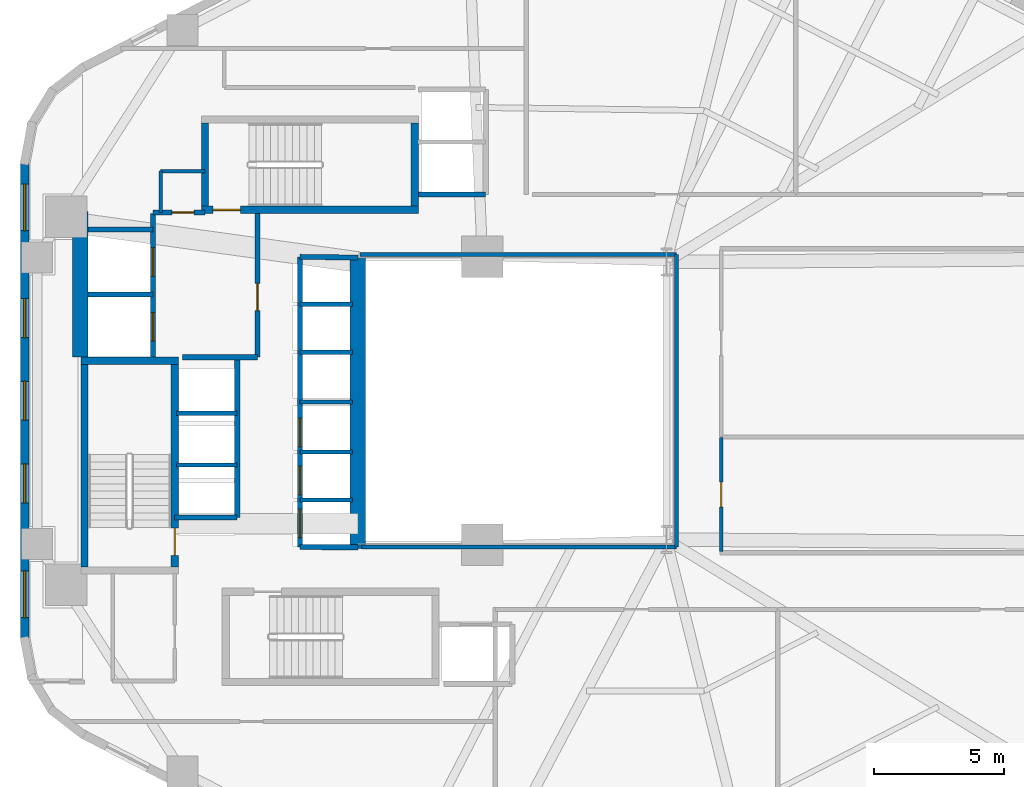
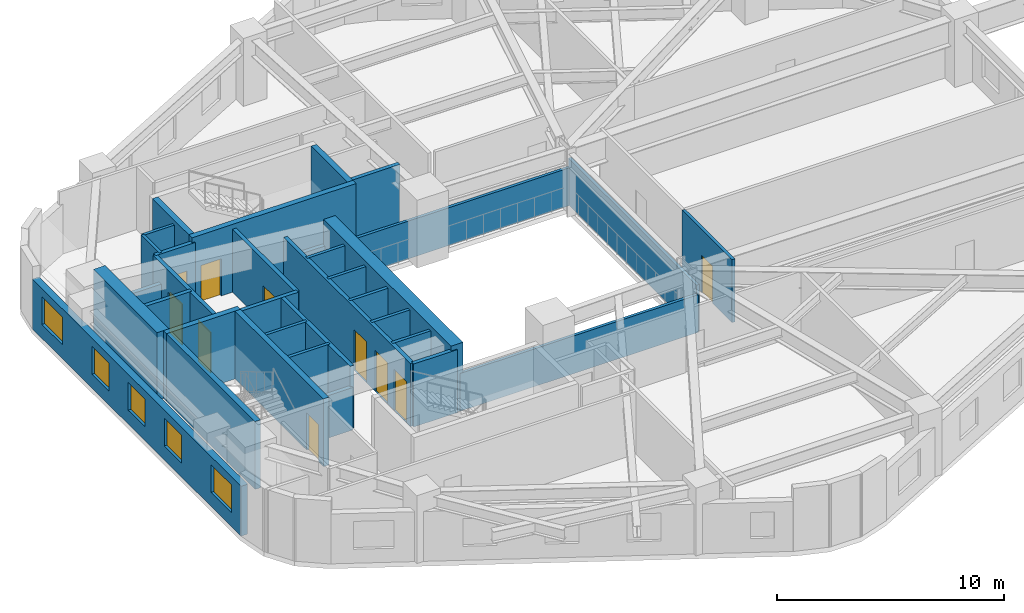
# One storey, part 3 of 6: 34 walls, 10 doors, 5 windows, 15 openings.
"""IFC4 building model written with IfcOpenShell, lengths in metres."""

from ifc_helpers import new_model, si_unit, direction, frame, frame_2d, origin, place, context, subcontext, project, spatial, rectangle, extrude, material, layer, layer_set, type_object, element, fill, save


model = new_model("IFC4")

# Units and contexts
model_context = context("Model", 3, precision=1e-05, world=origin(), true_north=direction((0.0, 1.0)))
body_context = subcontext(model_context, "Body", "Model", "MODEL_VIEW")
ifc_project = project(units=[si_unit("LENGTHUNIT", "METRE"), si_unit("AREAUNIT", "SQUARE_METRE"), si_unit("VOLUMEUNIT", "CUBIC_METRE"), si_unit("PLANEANGLEUNIT", "RADIAN"), si_unit("MASSUNIT", "GRAM", prefix="KILO"), si_unit("THERMODYNAMICTEMPERATUREUNIT", "KELVIN"), si_unit("POWERUNIT", "WATT")], contexts=[model_context])

# Site, building, storey
site_placement = place(None, origin())
site = spatial("IfcSite", under=ifc_project, at=site_placement, CompositionType="ELEMENT")
building_placement = place(site_placement, origin())
building = spatial("IfcBuilding", under=site, at=building_placement, Name="Skarre Station Tower", CompositionType="ELEMENT")
storey_placement = place(building_placement, frame((0.0, 0.0, 34.300048828125)))
storey = spatial("IfcBuildingStorey", under=building, at=storey_placement, Name="L08", CompositionType="ELEMENT", Elevation=34.300048828125)

# Walls
ifc_material_1 = material(Name="Acoustic Steel-Stud Gypsum Partition", Category="steel")
ifc_layer_1 = layer(ifc_material_1, 0.14990234375, Name="Acoustic Steel-Stud Gypsum Partition")
ifc_layer_set_1 = layer_set([ifc_layer_1], Name="Acoustic Steel-Stud Gypsum Partition")
wall_type_1 = type_object("IfcWallType", Name="Fire-Rated Corridor Acoustic Partition 150", PredefinedType="PARTITIONING", material=ifc_layer_set_1)
wall_1_placement = place(storey_placement, frame((19.949951171875, 32.85009765625, 0.0), z_axis=(0.0, 0.0, 1.0), x_axis=(0.0, -1.0, 0.0)))
element("IfcWall", 1, at=wall_1_placement, inside=storey, type_object=wall_type_1, Name="L08 Interior Partition WL-PT-L08-CNW-W", PredefinedType="PARTITIONING", context=body_context, shape_type="SweptSolid", body=[
    extrude(rectangle(XDim=1.590087890625, YDim=0.14990234375, at=frame_2d((0.794921875, 0.0))), origin(), (0.0, 0.0, 1.0), 3.389892578125),
])
wall_2_placement = place(storey_placement, frame((21.659912109375, 32.85009765625, 0.0), z_axis=(0.0, 0.0, 1.0), x_axis=(-1.0, 0.0, 0.0)))
element("IfcWall", 2, at=wall_2_placement, inside=storey, type_object=wall_type_1, Name="L08 Interior Partition WL-PT-L08-CNW-N1", PredefinedType="PARTITIONING", context=body_context, shape_type="SweptSolid", body=[
    extrude(rectangle(XDim=1.7099609375, YDim=0.14990234375, at=frame_2d((0.85498046875, 0.0))), origin(), (0.0, 0.0, 1.0), 3.389892578125),
])
wall_3_placement = place(storey_placement, frame((27.699951171875, 18.360107421875, 0.0), z_axis=(0.0, 0.0, 1.0), x_axis=(1.0, 0.0, 0.0)))
element("IfcWall", 3, at=wall_3_placement, inside=storey, type_object=wall_type_1, Name="L08 Interior Partition WL-PT-L08-ATRW-S", PredefinedType="PARTITIONING", context=body_context, shape_type="SweptSolid", body=[
    extrude(rectangle(XDim=12.14013671875, YDim=0.14990234375, at=frame_2d((6.070068359375, 0.0))), origin(), (0.0, 0.0, 1.0), 2.030029296875),
])
wall_4_placement = place(storey_placement, frame((39.840087890625, 29.639892578125, 0.0), z_axis=(0.0, 0.0, 1.0), x_axis=(-1.0, 0.0, 0.0)))
element("IfcWall", 4, at=wall_4_placement, inside=storey, type_object=wall_type_1, Name="L08 Interior Partition WL-PT-L08-ATRW-N", PredefinedType="PARTITIONING", context=body_context, shape_type="SweptSolid", body=[
    extrude(rectangle(XDim=12.2001953125, YDim=0.14990234375, at=frame_2d((6.10009765625, 0.0))), origin(), (0.0, 0.0, 1.0), 2.030029296875),
])
wall_5_placement = place(storey_placement, frame((39.840087890625, 18.360107421875, 0.0), z_axis=(0.0, 0.0, 1.0), x_axis=(0.0, 1.0, 0.0)))
element("IfcWall", 5, at=wall_5_placement, inside=storey, type_object=wall_type_1, Name="L08 Interior Partition WL-PT-L08-ATRW-E", PredefinedType="PARTITIONING", context=body_context, shape_type="SweptSolid", body=[
    extrude(rectangle(XDim=11.27978515625, YDim=0.14990234375, at=frame_2d((5.639892578125, 0.0))), origin(), (0.0, 0.0, 1.0), 2.512939453125),
])

# Wall, opening, door
wall_6_placement = place(storey_placement, frame((41.56005859375, 18.179931640625, 0.0), z_axis=(0.0, 0.0, 1.0), x_axis=(0.0, 1.0, 0.0)))
wall_6 = element("IfcWall", 6, at=wall_6_placement, inside=storey, type_object=wall_type_1, Name="L08 Interior Partition WL-PT-L08-EW1-CW", PredefinedType="PARTITIONING", context=body_context, shape_type="SweptSolid", body=[
    extrude(rectangle(XDim=4.405029296875, YDim=0.14990234375, at=frame_2d((2.20263671875, 0.0))), origin(), (0.0, 0.0, 1.0), 3.389892578125),
])
opening_1_placement = place(wall_6_placement, frame((1.722900390625, 0.0, 0.0)))
opening_1 = element("IfcOpeningElement", 7, at=opening_1_placement, cuts=wall_6, Name="Opening DR-FD60", PredefinedType="OPENING", context=body_context, shape_type="SweptSolid", body=[
    extrude(rectangle(XDim=0.9599609375, YDim=2.0, at=frame_2d((0.47998046875, 1.0))), frame((0.0, 0.0849609375, 0.0), z_axis=(0.0, -1.0, 0.0), x_axis=(1.0, 0.0, 0.0)), (0.0, 0.0, 1.0), 0.169921875),
])
ifc_material_2 = material(Name="Nordic White-Oak Veneer Solid-Core Fire Leaf", Category="wood")
door_type_1 = type_object("IfcDoorType", Name="Corridor Suite Entry Fire Door FD60 960x2150", OperationType="SINGLE_SWING_LEFT", PredefinedType="DOOR", material=ifc_material_2)
door_1_placement = place(opening_1_placement, origin())
door_1 = element("IfcDoor", 8, at=door_1_placement, inside=storey, type_object=door_type_1, Name="L08 EW1 Entry Door", OperationType="SINGLE_SWING_LEFT", OverallHeight=2.0, OverallWidth=0.9599609375, PredefinedType="DOOR", context=body_context, shape_type="SweptSolid", body=[
    extrude(rectangle(XDim=0.9599609375, YDim=2.0, at=frame_2d((0.47998046875, 1.0))), frame((0.0, 0.02490234375, 0.0), z_axis=(0.0, -1.0, 0.0), x_axis=(1.0, 0.0, 0.0)), (0.0, 0.0, 1.0), 0.050048828125),
])
fill(opening_1, door_1)

# Wall, openings, windows
ifc_material_3 = material(Name="Precast concrete C45/55", Category="concrete")
ifc_layer_2 = layer(ifc_material_3, 0.340087890625, Name="Precast concrete C45/55")
ifc_layer_set_2 = layer_set([ifc_layer_2], Name="Precast concrete C45/55")
wall_type_2 = type_object("IfcWallType", Name="Nordic Honed Precast Facet Wall 340", PredefinedType="STANDARD", material=ifc_layer_set_2)
wall_7_placement = place(storey_placement, frame((14.70703125, 14.798095703125, 0.0), z_axis=(0.0, 0.0, 1.0), x_axis=(0.0, 1.0, 0.0)))
wall_7 = element("IfcWall", 9, at=wall_7_placement, inside=storey, type_object=wall_type_2, Name="L08 Facet 2 Nordic Precast Masonry Wall", PredefinedType="STANDARD", context=body_context, shape_type="SweptSolid", body=[
    extrude(rectangle(XDim=18.40380859375, YDim=0.340087890625, at=frame_2d((9.201904296875, 0.0))), origin(), (0.0, 0.0, 1.0), 2.683837890625),
])
opening_2_placement = place(wall_7_placement, frame((0.844970703125, 0.0, 0.75)))
opening_2 = element("IfcOpeningElement", 10, at=opening_2_placement, cuts=wall_7, Name="Opening WN-Z1A", PredefinedType="OPENING", context=body_context, shape_type="SweptSolid", body=[
    extrude(rectangle(XDim=1.800048828125, YDim=1.5, at=frame_2d((0.89990234375, 0.75))), frame((0.0, 0.179931640625, 0.0), z_axis=(0.0, -1.0, 0.0), x_axis=(1.0, 0.0, 0.0)), (0.0, 0.0, 1.0), 0.360107421875),
])
opening_3_placement = place(wall_7_placement, frame((5.264892578125, 0.0, 0.75)))
opening_3 = element("IfcOpeningElement", 11, at=opening_3_placement, cuts=wall_7, Name="Opening WN-Z1B", PredefinedType="OPENING", context=body_context, shape_type="SweptSolid", body=[
    extrude(rectangle(XDim=1.5, YDim=1.5, at=frame_2d((0.75, 0.75))), frame((0.0, 0.179931640625, 0.0), z_axis=(0.0, -1.0, 0.0), x_axis=(1.0, 0.0, 0.0)), (0.0, 0.0, 1.0), 0.360107421875),
])
opening_4_placement = place(wall_7_placement, frame((8.451904296875, 0.0, 0.75)))
opening_4 = element("IfcOpeningElement", 12, at=opening_4_placement, cuts=wall_7, Name="Opening WN-Z1B", PredefinedType="OPENING", context=body_context, shape_type="SweptSolid", body=[
    extrude(rectangle(XDim=1.5, YDim=1.5, at=frame_2d((0.75, 0.75))), frame((0.0, 0.179931640625, 0.0), z_axis=(0.0, -1.0, 0.0), x_axis=(1.0, 0.0, 0.0)), (0.0, 0.0, 1.0), 0.360107421875),
])
opening_5_placement = place(wall_7_placement, frame((11.638916015625, 0.0, 0.75)))
opening_5 = element("IfcOpeningElement", 13, at=opening_5_placement, cuts=wall_7, Name="Opening WN-Z1B", PredefinedType="OPENING", context=body_context, shape_type="SweptSolid", body=[
    extrude(rectangle(XDim=1.5, YDim=1.5, at=frame_2d((0.75, 0.75))), frame((0.0, 0.179931640625, 0.0), z_axis=(0.0, -1.0, 0.0), x_axis=(1.0, 0.0, 0.0)), (0.0, 0.0, 1.0), 0.360107421875),
])
opening_6_placement = place(wall_7_placement, frame((15.758056640625, 0.0, 0.75)))
opening_6 = element("IfcOpeningElement", 14, at=opening_6_placement, cuts=wall_7, Name="Opening WN-Z1A", PredefinedType="OPENING", context=body_context, shape_type="SweptSolid", body=[
    extrude(rectangle(XDim=1.800048828125, YDim=1.5, at=frame_2d((0.89990234375, 0.75))), frame((0.0, 0.179931640625, 0.0), z_axis=(0.0, -1.0, 0.0), x_axis=(1.0, 0.0, 0.0)), (0.0, 0.0, 1.0), 0.360107421875),
])
ifc_material_4 = material(Name="Low-Iron Triple Glazing with Bronze Anodized Frame", Category="glass")
window_type_1 = type_object("IfcWindowType", Name="Nordic Punched Triple-Glazed Window 1500x1500", PartitioningType="SINGLE_PANEL", PredefinedType="WINDOW", material=ifc_material_4)
window_1_placement = place(opening_3_placement, origin())
window_1 = element("IfcWindow", 15, at=window_1_placement, inside=storey, type_object=window_type_1, Name="L08 Facade Window WL-FAC-L08-F2-2", OverallHeight=1.5, OverallWidth=1.5, PartitioningType="SINGLE_PANEL", PredefinedType="WINDOW", context=body_context, shape_type="SweptSolid", body=[
    extrude(rectangle(XDim=1.5, YDim=1.5, at=frame_2d((0.75, 0.75))), frame((0.0, 0.030029296875, 0.0), z_axis=(0.0, -1.0, 0.0), x_axis=(1.0, 0.0, 0.0)), (0.0, 0.0, 1.0), 0.06005859375),
])
fill(opening_3, window_1)
window_2_placement = place(opening_4_placement, origin())
window_2 = element("IfcWindow", 16, at=window_2_placement, inside=storey, type_object=window_type_1, Name="L08 Facade Window WL-FAC-L08-F2-3", OverallHeight=1.5, OverallWidth=1.5, PartitioningType="SINGLE_PANEL", PredefinedType="WINDOW", context=body_context, shape_type="SweptSolid", body=[
    extrude(rectangle(XDim=1.5, YDim=1.5, at=frame_2d((0.75, 0.75))), frame((0.0, 0.030029296875, 0.0), z_axis=(0.0, -1.0, 0.0), x_axis=(1.0, 0.0, 0.0)), (0.0, 0.0, 1.0), 0.06005859375),
])
fill(opening_4, window_2)
window_3_placement = place(opening_5_placement, origin())
window_3 = element("IfcWindow", 17, at=window_3_placement, inside=storey, type_object=window_type_1, Name="L08 Facade Window WL-FAC-L08-F2-4", OverallHeight=1.5, OverallWidth=1.5, PartitioningType="SINGLE_PANEL", PredefinedType="WINDOW", context=body_context, shape_type="SweptSolid", body=[
    extrude(rectangle(XDim=1.5, YDim=1.5, at=frame_2d((0.75, 0.75))), frame((0.0, 0.030029296875, 0.0), z_axis=(0.0, -1.0, 0.0), x_axis=(1.0, 0.0, 0.0)), (0.0, 0.0, 1.0), 0.06005859375),
])
fill(opening_5, window_3)
window_type_2 = type_object("IfcWindowType", Name="Nordic Punched Triple-Glazed Window 1800x1500", PartitioningType="SINGLE_PANEL", PredefinedType="WINDOW", material=ifc_material_4)
window_4_placement = place(opening_2_placement, origin())
window_4 = element("IfcWindow", 18, at=window_4_placement, inside=storey, type_object=window_type_2, Name="L08 Facade Window WL-FAC-L08-F2-1", OverallHeight=1.5, OverallWidth=1.800048828125, PartitioningType="SINGLE_PANEL", PredefinedType="WINDOW", context=body_context, shape_type="SweptSolid", body=[
    extrude(rectangle(XDim=1.800048828125, YDim=1.5, at=frame_2d((0.89990234375, 0.75))), frame((0.0, 0.030029296875, 0.0), z_axis=(0.0, -1.0, 0.0), x_axis=(1.0, 0.0, 0.0)), (0.0, 0.0, 1.0), 0.06005859375),
])
fill(opening_2, window_4)
window_5_placement = place(opening_6_placement, origin())
window_5 = element("IfcWindow", 19, at=window_5_placement, inside=storey, type_object=window_type_2, Name="L08 Facade Window WL-FAC-L08-F2-5", OverallHeight=1.5, OverallWidth=1.800048828125, PartitioningType="SINGLE_PANEL", PredefinedType="WINDOW", context=body_context, shape_type="SweptSolid", body=[
    extrude(rectangle(XDim=1.800048828125, YDim=1.5, at=frame_2d((0.89990234375, 0.75))), frame((0.0, 0.030029296875, 0.0), z_axis=(0.0, -1.0, 0.0), x_axis=(1.0, 0.0, 0.0)), (0.0, 0.0, 1.0), 0.06005859375),
])
fill(opening_6, window_5)

# Walls
ifc_material_5 = material(Name="Concrete C50/60", Category="concrete")
ifc_layer_3 = layer(ifc_material_5, 0.280029296875, Name="Concrete C50/60")
ifc_layer_set_3 = layer_set([ifc_layer_3], Name="Concrete C50/60")
wall_type_3 = type_object("IfcWallType", Name="RC Core Shear Wall 280", PredefinedType="SHEAR", material=ifc_layer_set_3)
wall_8_placement = place(storey_placement, frame((20.6298828125, 25.5400390625, 0.0), z_axis=(0.0, 0.0, 1.0), x_axis=(-1.0, 0.0, 0.0)))
element("IfcWall", 20, at=wall_8_placement, inside=storey, type_object=wall_type_3, Name="L08 Stair ST-1 North Shear Wall", PredefinedType="SHEAR", context=body_context, shape_type="SweptSolid", body=[
    extrude(rectangle(XDim=3.759765625, YDim=0.280029296875, at=frame_2d((1.8798828125, 0.0))), origin(), (0.0, 0.0, 1.0), 3.64990234375),
])
wall_9_placement = place(storey_placement, frame((17.010009765625, 25.39990234375, 0.0), z_axis=(0.0, 0.0, 1.0), x_axis=(0.0, -1.0, 0.0)))
element("IfcWall", 21, at=wall_9_placement, inside=storey, type_object=wall_type_3, Name="L08 Stair ST-1 West Shear Wall", PredefinedType="SHEAR", context=body_context, shape_type="SweptSolid", body=[
    extrude(rectangle(XDim=7.7998046875, YDim=0.280029296875, at=frame_2d((3.89990234375, 0.0))), origin(), (0.0, 0.0, 1.0), 3.64990234375),
])

# Wall, opening, door
wall_10_placement = place(storey_placement, frame((20.489990234375, 17.60009765625, 0.0), z_axis=(0.0, 0.0, 1.0), x_axis=(0.0, 1.0, 0.0)))
wall_10 = element("IfcWall", 22, at=wall_10_placement, inside=storey, type_object=wall_type_3, Name="L08 Stair ST-1 East Shear Wall", PredefinedType="SHEAR", context=body_context, shape_type="SweptSolid", body=[
    extrude(rectangle(XDim=7.7998046875, YDim=0.280029296875, at=frame_2d((3.89990234375, 0.0))), origin(), (0.0, 0.0, 1.0), 3.64990234375),
])
opening_7_placement = place(wall_10_placement, frame((0.43994140625, 0.0, 0.0)))
opening_7 = element("IfcOpeningElement", 23, at=opening_7_placement, cuts=wall_10, Name="Opening DR-FD90", PredefinedType="OPENING", context=body_context, shape_type="SweptSolid", body=[
    extrude(rectangle(XDim=1.050048828125, YDim=2.0, at=frame_2d((0.52490234375, 1.0))), frame((0.0, 0.14990234375, 0.0), z_axis=(0.0, -1.0, 0.0), x_axis=(1.0, 0.0, 0.0)), (0.0, 0.0, 1.0), 0.300048828125),
])
ifc_material_6 = material(Name="Fire-Rated Insulated Steel Frame & Timber Core Leaf", Category="steel")
door_type_2 = type_object("IfcDoorType", Name="Stair & FSAE Lobby Fire Door FD90 1050x2150", OperationType="SINGLE_SWING_RIGHT", PredefinedType="DOOR", material=ifc_material_6)
door_2_placement = place(opening_7_placement, origin())
door_2 = element("IfcDoor", 24, at=door_2_placement, inside=storey, type_object=door_type_2, Name="L08 Stair ST-1 Exit Door", OperationType="SINGLE_SWING_RIGHT", OverallHeight=2.0, OverallWidth=1.050048828125, PredefinedType="DOOR", context=body_context, shape_type="SweptSolid", body=[
    extrude(rectangle(XDim=1.050048828125, YDim=2.0, at=frame_2d((0.52490234375, 1.0))), frame((0.0, 0.02490234375, 0.0), z_axis=(0.0, -1.0, 0.0), x_axis=(1.0, 0.0, 0.0)), (0.0, 0.0, 1.0), 0.050048828125),
])
fill(opening_7, door_2)

wall_11_placement = place(storey_placement, frame((21.52001953125, 31.360107421875, 0.0), z_axis=(0.0, 0.0, 1.0), x_axis=(1.0, 0.0, 0.0)))
wall_11 = element("IfcWall", 25, at=wall_11_placement, inside=storey, type_object=wall_type_3, Name="L08 Stair ST-3 South Shear Wall", PredefinedType="SHEAR", context=body_context, shape_type="SweptSolid", body=[
    extrude(rectangle(XDim=8.35986328125, YDim=0.280029296875, at=frame_2d((4.179931640625, 0.0))), origin(), (0.0, 0.0, 1.0), 3.64990234375),
])
opening_8_placement = place(wall_11_placement, frame((0.449951171875, 0.0, 0.0)))
opening_8 = element("IfcOpeningElement", 26, at=opening_8_placement, cuts=wall_11, Name="Opening DR-FD90", PredefinedType="OPENING", context=body_context, shape_type="SweptSolid", body=[
    extrude(rectangle(XDim=1.050048828125, YDim=2.0, at=frame_2d((0.52490234375, 1.0))), frame((0.0, 0.14990234375, 0.0), z_axis=(0.0, -1.0, 0.0), x_axis=(1.0, 0.0, 0.0)), (0.0, 0.0, 1.0), 0.300048828125),
])
door_3_placement = place(opening_8_placement, origin())
door_3 = element("IfcDoor", 27, at=door_3_placement, inside=storey, type_object=door_type_2, Name="L08 Stair ST-3 & FSAE Lobby Direct Exit Door", OperationType="SINGLE_SWING_LEFT", OverallHeight=2.0, OverallWidth=1.050048828125, PredefinedType="DOOR", context=body_context, shape_type="SweptSolid", body=[
    extrude(rectangle(XDim=1.050048828125, YDim=2.0, at=frame_2d((0.52490234375, 1.0))), frame((0.0, 0.02490234375, 0.0), z_axis=(0.0, -1.0, 0.0), x_axis=(1.0, 0.0, 0.0)), (0.0, 0.0, 1.0), 0.050048828125),
])
fill(opening_8, door_3)

# Walls
for number, where, z_axis, x_axis, name in (
    (28, (21.659912109375, 34.699951171875, 0.0), (0.0, 0.0, 1.0), (0.0, -1.0, 0.0), "L08 Stair ST-3 West Shear Wall"),
    (29, (29.739990234375, 31.5, 0.0), (0.0, 0.0, 1.0), (0.0, 1.0, 0.0), "L08 Stair ST-3 East Shear Wall"),
):
    element("IfcWall", number, at=place(storey_placement, frame(where, z_axis=z_axis, x_axis=x_axis)), inside=storey, type_object=wall_type_3, Name=name, PredefinedType="SHEAR", context=body_context, shape_type="SweptSolid", body=[
        extrude(rectangle(XDim=3.199951171875, YDim=0.280029296875, at=frame_2d((1.60009765625, 0.0))), origin(), (0.0, 0.0, 1.0), 3.64990234375),
    ])
ifc_material_7 = material(Name="Concrete C70/85", Category="concrete")
ifc_layer_4 = layer(ifc_material_7, 0.60009765625, Name="Concrete C70/85")
ifc_layer_set_4 = layer_set([ifc_layer_4], Name="Concrete C70/85")
wall_type_4 = type_object("IfcWallType", Name="RC Core Shear Wall 600", PredefinedType="SHEAR", material=ifc_layer_set_4)
wall_12_placement = place(storey_placement, frame((16.85009765625, 25.679931640625, 0.0), z_axis=(0.0, 0.0, 1.0), x_axis=(0.0, 1.0, 0.0)))
element("IfcWall", 30, at=wall_12_placement, inside=storey, type_object=wall_type_4, Name="L08 Core West-North Shear Wall", PredefinedType="SHEAR", context=body_context, shape_type="SweptSolid", body=[
    extrude(rectangle(XDim=5.6201171875, YDim=0.60009765625, at=frame_2d((2.81005859375, 0.0))), origin(), (0.0, 0.0, 1.0), 3.64990234375),
])
wall_13_placement = place(storey_placement, frame((27.550048828125, 29.550048828125, 0.0), z_axis=(0.0, 0.0, 1.0), x_axis=(0.0, -1.0, 0.0)))
element("IfcWall", 31, at=wall_13_placement, inside=storey, type_object=wall_type_4, Name="L08 Core East Atrium Shear Wall", PredefinedType="SHEAR", context=body_context, shape_type="SweptSolid", body=[
    extrude(rectangle(XDim=11.25, YDim=0.60009765625, at=frame_2d((5.625, 0.0))), origin(), (0.0, 0.0, 1.0), 3.64990234375),
])

# Wall, openings, doors
ifc_material_8 = material(Name="Gypsum Concrete Shaft Assembly C30/37", Category="concrete")
ifc_layer_5 = layer(ifc_material_8, 0.199951171875, Name="Gypsum Concrete Shaft Assembly C30/37")
ifc_layer_set_5 = layer_set([ifc_layer_5], Name="Gypsum Concrete Shaft Assembly C30/37")
wall_type_5 = type_object("IfcWallType", Name="Shaft & Core Fire Partition 200", PredefinedType="PARTITIONING", material=ifc_layer_set_5)
wall_14_placement = place(storey_placement, frame((19.64990234375, 25.679931640625, 0.0), z_axis=(0.0, 0.0, 1.0), x_axis=(0.0, 1.0, 0.0)))
wall_14 = element("IfcWall", 32, at=wall_14_placement, inside=storey, type_object=wall_type_5, Name="L08 Interior Partition WL-PT-L08-FSAE-W", PredefinedType="PARTITIONING", context=body_context, shape_type="SweptSolid", body=[
    extrude(rectangle(XDim=5.5400390625, YDim=0.199951171875, at=frame_2d((2.77001953125, 0.0))), origin(), (0.0, 0.0, 1.0), 3.389892578125),
])
opening_9_placement = place(wall_14_placement, frame((0.6201171875, 0.0, 0.0)))
opening_9 = element("IfcOpeningElement", 33, at=opening_9_placement, cuts=wall_14, Name="Opening LD-FF1", PredefinedType="OPENING", context=body_context, shape_type="SweptSolid", body=[
    extrude(rectangle(XDim=1.10009765625, YDim=2.199951171875, at=frame_2d((0.550048828125, 1.10009765625))), frame((0.0, 0.10986328125, 0.0), z_axis=(0.0, -1.0, 0.0), x_axis=(1.0, 0.0, 0.0)), (0.0, 0.0, 1.0), 0.219970703125),
])
opening_10_placement = place(wall_14_placement, frame((3.1201171875, 0.0, 0.0)))
opening_10 = element("IfcOpeningElement", 34, at=opening_10_placement, cuts=wall_14, Name="Opening LD-FF2", PredefinedType="OPENING", context=body_context, shape_type="SweptSolid", body=[
    extrude(rectangle(XDim=1.10009765625, YDim=2.199951171875, at=frame_2d((0.550048828125, 1.10009765625))), frame((0.0, 0.10986328125, 0.0), z_axis=(0.0, -1.0, 0.0), x_axis=(1.0, 0.0, 0.0)), (0.0, 0.0, 1.0), 0.219970703125),
])
ifc_material_9 = material(Name="Fire-Rated Stainless Steel Grade 316L Sliding Leaves", Category="steel")
door_type_3 = type_object("IfcDoorType", Name="Fire Service Access Elevator Sliding Landing Door 1100x2200", OperationType="SLIDING_TO_LEFT", PredefinedType="DOOR", material=ifc_material_9)
door_4_placement = place(opening_9_placement, origin())
door_4 = element("IfcDoor", 35, at=door_4_placement, inside=storey, type_object=door_type_3, Name="L08 Firefighting Lift LF-FF1 Landing Door", OperationType="SLIDING_TO_LEFT", OverallHeight=2.199951171875, OverallWidth=1.10009765625, PredefinedType="DOOR", context=body_context, shape_type="SweptSolid", body=[
    extrude(rectangle(XDim=1.10009765625, YDim=2.199951171875, at=frame_2d((0.550048828125, 1.10009765625))), frame((0.0, 0.02490234375, 0.0), z_axis=(0.0, -1.0, 0.0), x_axis=(1.0, 0.0, 0.0)), (0.0, 0.0, 1.0), 0.050048828125),
])
fill(opening_9, door_4)
door_5_placement = place(opening_10_placement, origin())
door_5 = element("IfcDoor", 36, at=door_5_placement, inside=storey, type_object=door_type_3, Name="L08 Firefighting Lift LF-FF2 Landing Door", OperationType="SLIDING_TO_LEFT", OverallHeight=2.199951171875, OverallWidth=1.10009765625, PredefinedType="DOOR", context=body_context, shape_type="SweptSolid", body=[
    extrude(rectangle(XDim=1.10009765625, YDim=2.199951171875, at=frame_2d((0.550048828125, 1.10009765625))), frame((0.0, 0.02490234375, 0.0), z_axis=(0.0, -1.0, 0.0), x_axis=(1.0, 0.0, 0.0)), (0.0, 0.0, 1.0), 0.050048828125),
])
fill(opening_10, door_5)

# Wall
wall_15_placement = place(storey_placement, frame((20.79296875, 25.679931640625, 0.0), z_axis=(0.0, 0.0, 1.0), x_axis=(1.0, 0.0, 0.0)))
element("IfcWall", 37, at=wall_15_placement, inside=storey, type_object=wall_type_5, Name="L08 Interior Partition WL-PT-L08-FSAE-S", PredefinedType="PARTITIONING", context=body_context, shape_type="SweptSolid", body=[
    extrude(rectangle(XDim=2.886962890625, YDim=0.199951171875, at=frame_2d((1.443359375, 0.0))), origin(), (0.0, 0.0, 1.0), 3.389892578125),
])

# Wall, opening, door
wall_16_placement = place(storey_placement, frame((23.679931640625, 25.679931640625, 0.0), z_axis=(0.0, 0.0, 1.0), x_axis=(0.0, 1.0, 0.0)))
wall_16 = element("IfcWall", 38, at=wall_16_placement, inside=storey, type_object=wall_type_5, Name="L08 Interior Partition WL-PT-L08-FSAE-E", PredefinedType="PARTITIONING", context=body_context, shape_type="SweptSolid", body=[
    extrude(rectangle(XDim=5.5400390625, YDim=0.199951171875, at=frame_2d((2.77001953125, 0.0))), origin(), (0.0, 0.0, 1.0), 3.389892578125),
])
opening_11_placement = place(wall_16_placement, frame((1.800048828125, 0.0, 0.0)))
opening_11 = element("IfcOpeningElement", 39, at=opening_11_placement, cuts=wall_16, Name="Opening DR-FD90", PredefinedType="OPENING", context=body_context, shape_type="SweptSolid", body=[
    extrude(rectangle(XDim=1.050048828125, YDim=2.0, at=frame_2d((0.52490234375, 1.0))), frame((0.0, 0.10986328125, 0.0), z_axis=(0.0, -1.0, 0.0), x_axis=(1.0, 0.0, 0.0)), (0.0, 0.0, 1.0), 0.219970703125),
])
door_6_placement = place(opening_11_placement, origin())
door_6 = element("IfcDoor", 40, at=door_6_placement, inside=storey, type_object=door_type_2, Name="L08 FSAE Lobby Fire Door", OperationType="SINGLE_SWING_RIGHT", OverallHeight=2.0, OverallWidth=1.050048828125, PredefinedType="DOOR", context=body_context, shape_type="SweptSolid", body=[
    extrude(rectangle(XDim=1.050048828125, YDim=2.0, at=frame_2d((0.52490234375, 1.0))), frame((0.0, 0.02490234375, 0.0), z_axis=(0.0, -1.0, 0.0), x_axis=(1.0, 0.0, 0.0)), (0.0, 0.0, 1.0), 0.050048828125),
])
fill(opening_11, door_6)

wall_17_placement = place(storey_placement, frame((21.659912109375, 31.260009765625, 0.0), z_axis=(0.0, 0.0, 1.0), x_axis=(-1.0, 0.0, 0.0)))
wall_17 = element("IfcWall", 41, at=wall_17_placement, inside=storey, type_object=wall_type_5, Name="L08 Interior Partition WL-PT-L08-FSAE-N", PredefinedType="PARTITIONING", context=body_context, shape_type="SweptSolid", body=[
    extrude(rectangle(XDim=2.010009765625, YDim=0.199951171875, at=frame_2d((1.0048828125, 0.0))), origin(), (0.0, 0.0, 1.0), 3.389892578125),
])
opening_12_placement = place(wall_17_placement, frame((0.419921875, 0.0, 0.0)))
opening_12 = element("IfcOpeningElement", 42, at=opening_12_placement, cuts=wall_17, Name="Opening DR-SVC86", PredefinedType="OPENING", context=body_context, shape_type="SweptSolid", body=[
    extrude(rectangle(XDim=0.860107421875, YDim=2.0, at=frame_2d((0.43017578125, 1.0))), frame((0.0, 0.10986328125, 0.0), z_axis=(0.0, -1.0, 0.0), x_axis=(1.0, 0.0, 0.0)), (0.0, 0.0, 1.0), 0.219970703125),
])
ifc_material_10 = material(Name="Powder-Coated Hollow-Metal Acoustic Fire Leaf", Category="steel")
door_type_4 = type_object("IfcDoorType", Name="Compact Riser Fire Door FD60 860x2100", OperationType="SINGLE_SWING_LEFT", PredefinedType="DOOR", material=ifc_material_10)
door_7_placement = place(opening_12_placement, origin())
door_7 = element("IfcDoor", 43, at=door_7_placement, inside=storey, type_object=door_type_4, Name="L08 Core Service Room Lobby Door", OperationType="SINGLE_SWING_LEFT", OverallHeight=2.0, OverallWidth=0.860107421875, PredefinedType="DOOR", context=body_context, shape_type="SweptSolid", body=[
    extrude(rectangle(XDim=0.860107421875, YDim=2.0, at=frame_2d((0.43017578125, 1.0))), frame((0.0, 0.02490234375, 0.0), z_axis=(0.0, -1.0, 0.0), x_axis=(1.0, 0.0, 0.0)), (0.0, 0.0, 1.0), 0.050048828125),
])
fill(opening_12, door_7)

# Walls
wall_18_placement = place(storey_placement, frame((17.14990234375, 28.10009765625, 0.0), z_axis=(0.0, 0.0, 1.0), x_axis=(1.0, 0.0, 0.0)))
element("IfcWall", 44, at=wall_18_placement, inside=storey, type_object=wall_type_5, Name="L08 Interior Partition WL-PT-L08-FF-DIV", PredefinedType="PARTITIONING", context=body_context, shape_type="SweptSolid", body=[
    extrude(rectangle(XDim=2.5, YDim=0.199951171875, at=frame_2d((1.25, 0.0))), origin(), (0.0, 0.0, 1.0), 3.389892578125),
])
wall_19_placement = place(storey_placement, frame((19.64990234375, 30.60009765625, 0.0), z_axis=(0.0, 0.0, 1.0), x_axis=(-1.0, 0.0, 0.0)))
element("IfcWall", 45, at=wall_19_placement, inside=storey, type_object=wall_type_5, Name="L08 Interior Partition WL-PT-L08-FF-N", PredefinedType="PARTITIONING", context=body_context, shape_type="SweptSolid", body=[
    extrude(rectangle(XDim=2.5, YDim=0.199951171875, at=frame_2d((1.25, 0.0))), origin(), (0.0, 0.0, 1.0), 2.2900390625),
])
wall_20_placement = place(storey_placement, frame((32.47998046875, 31.949951171875, 0.0), z_axis=(0.0, 0.0, 1.0), x_axis=(-1.0, 0.0, 0.0)))
element("IfcWall", 46, at=wall_20_placement, inside=storey, type_object=wall_type_5, Name="L08 Interior Partition WL-PT-L08-EX-S", PredefinedType="PARTITIONING", context=body_context, shape_type="SweptSolid", body=[
    extrude(rectangle(XDim=2.60009765625, YDim=0.199951171875, at=frame_2d((1.300048828125, 0.0))), origin(), (0.0, 0.0, 1.0), 3.389892578125),
])
wall_21_placement = place(storey_placement, frame((22.89990234375, 19.5, 0.0), z_axis=(0.0, 0.0, 1.0), x_axis=(0.0, 1.0, 0.0)))
element("IfcWall", 47, at=wall_21_placement, inside=storey, type_object=wall_type_5, Name="L08 Interior Partition WL-PT-L08-B3-E", PredefinedType="PARTITIONING", context=body_context, shape_type="SweptSolid", body=[
    extrude(rectangle(XDim=6.0849609375, YDim=0.199951171875, at=frame_2d((3.04248046875, 0.0))), origin(), (0.0, 0.0, 1.0), 3.389892578125),
])
wall_22_placement = place(storey_placement, frame((20.489990234375, 19.5, 0.0), z_axis=(0.0, 0.0, 1.0), x_axis=(1.0, 0.0, 0.0)))
element("IfcWall", 48, at=wall_22_placement, inside=storey, type_object=wall_type_5, Name="L08 Interior Partition WL-PT-L08-B3-S", PredefinedType="PARTITIONING", context=body_context, shape_type="SweptSolid", body=[
    extrude(rectangle(XDim=2.409912109375, YDim=0.199951171875, at=frame_2d((1.205078125, 0.0))), origin(), (0.0, 0.0, 1.0), 2.2900390625),
])
for number, where, z_axis, x_axis, name in (
    (49, (20.550048828125, 21.52001953125, 0.0), (0.0, 0.0, 1.0), (1.0, 0.0, 0.0), "L08 Interior Partition WL-PT-L08-B3-D1"),
    (50, (20.550048828125, 23.52001953125, 0.0), (0.0, 0.0, 1.0), (1.0, 0.0, 0.0), "L08 Interior Partition WL-PT-L08-B3-D2"),
):
    element("IfcWall", number, at=place(storey_placement, frame(where, z_axis=z_axis, x_axis=x_axis)), inside=storey, type_object=wall_type_5, Name=name, PredefinedType="PARTITIONING", context=body_context, shape_type="SweptSolid", body=[
        extrude(rectangle(XDim=2.349853515625, YDim=0.159912109375, at=frame_2d((1.1748046875, 0.0))), origin(), (0.0, 0.0, 1.0), 3.389892578125),
    ])

# Wall, openings, doors
wall_23_placement = place(storey_placement, frame((25.320068359375, 29.550048828125, 0.0), z_axis=(0.0, 0.0, 1.0), x_axis=(0.0, -1.0, 0.0)))
wall_23 = element("IfcWall", 51, at=wall_23_placement, inside=storey, type_object=wall_type_5, Name="L08 Interior Partition WL-PT-L08-B12-W", PredefinedType="PARTITIONING", context=body_context, shape_type="SweptSolid", body=[
    extrude(rectangle(XDim=11.18994140625, YDim=0.199951171875, at=frame_2d((5.594970703125, 0.0))), origin(), (0.0, 0.0, 1.0), 3.389892578125),
])
opening_13_placement = place(wall_23_placement, frame((6.219970703125, 0.0, 0.0)))
opening_13 = element("IfcOpeningElement", 52, at=opening_13_placement, cuts=wall_23, Name="Opening LD-P3", PredefinedType="OPENING", context=body_context, shape_type="SweptSolid", body=[
    extrude(rectangle(XDim=1.10009765625, YDim=2.199951171875, at=frame_2d((0.550048828125, 1.10009765625))), frame((0.0, 0.10986328125, 0.0), z_axis=(0.0, -1.0, 0.0), x_axis=(1.0, 0.0, 0.0)), (0.0, 0.0, 1.0), 0.219970703125),
])
opening_14_placement = place(wall_23_placement, frame((8.070068359375, 0.0, 0.0)))
opening_14 = element("IfcOpeningElement", 53, at=opening_14_placement, cuts=wall_23, Name="Opening LD-P2", PredefinedType="OPENING", context=body_context, shape_type="SweptSolid", body=[
    extrude(rectangle(XDim=1.10009765625, YDim=2.199951171875, at=frame_2d((0.550048828125, 1.10009765625))), frame((0.0, 0.10986328125, 0.0), z_axis=(0.0, -1.0, 0.0), x_axis=(1.0, 0.0, 0.0)), (0.0, 0.0, 1.0), 0.219970703125),
])
opening_15_placement = place(wall_23_placement, frame((9.72998046875, 0.0, 0.0)))
opening_15 = element("IfcOpeningElement", 54, at=opening_15_placement, cuts=wall_23, Name="Opening LD-P1", PredefinedType="OPENING", context=body_context, shape_type="SweptSolid", body=[
    extrude(rectangle(XDim=1.10009765625, YDim=2.199951171875, at=frame_2d((0.550048828125, 1.10009765625))), frame((0.0, 0.10986328125, 0.0), z_axis=(0.0, -1.0, 0.0), x_axis=(1.0, 0.0, 0.0)), (0.0, 0.0, 1.0), 0.219970703125),
])
ifc_material_11 = material(Name="Brushed Bronze Stainless Steel Sliding Leaves", Category="steel")
door_type_5 = type_object("IfcDoorType", Name="Passenger Elevator Center-Parting Sliding Door 1100x2200", OperationType="SLIDING_TO_LEFT", PredefinedType="DOOR", material=ifc_material_11)
door_8_placement = place(opening_13_placement, origin())
door_8 = element("IfcDoor", 55, at=door_8_placement, inside=storey, type_object=door_type_5, Name="L08 Passenger Lift LF-P3 Landing Door", OperationType="SLIDING_TO_LEFT", OverallHeight=2.199951171875, OverallWidth=1.10009765625, PredefinedType="DOOR", context=body_context, shape_type="SweptSolid", body=[
    extrude(rectangle(XDim=1.10009765625, YDim=2.199951171875, at=frame_2d((0.550048828125, 1.10009765625))), frame((0.0, 0.02490234375, 0.0), z_axis=(0.0, -1.0, 0.0), x_axis=(1.0, 0.0, 0.0)), (0.0, 0.0, 1.0), 0.050048828125),
])
fill(opening_13, door_8)
door_9_placement = place(opening_14_placement, origin())
door_9 = element("IfcDoor", 56, at=door_9_placement, inside=storey, type_object=door_type_5, Name="L08 Passenger Lift LF-P2 Landing Door", OperationType="SLIDING_TO_LEFT", OverallHeight=2.199951171875, OverallWidth=1.10009765625, PredefinedType="DOOR", context=body_context, shape_type="SweptSolid", body=[
    extrude(rectangle(XDim=1.10009765625, YDim=2.199951171875, at=frame_2d((0.550048828125, 1.10009765625))), frame((0.0, 0.02490234375, 0.0), z_axis=(0.0, -1.0, 0.0), x_axis=(1.0, 0.0, 0.0)), (0.0, 0.0, 1.0), 0.050048828125),
])
fill(opening_14, door_9)
door_10_placement = place(opening_15_placement, origin())
door_10 = element("IfcDoor", 57, at=door_10_placement, inside=storey, type_object=door_type_5, Name="L08 Passenger Lift LF-P1 Landing Door", OperationType="SLIDING_TO_LEFT", OverallHeight=2.199951171875, OverallWidth=1.10009765625, PredefinedType="DOOR", context=body_context, shape_type="SweptSolid", body=[
    extrude(rectangle(XDim=1.10009765625, YDim=2.199951171875, at=frame_2d((0.550048828125, 1.10009765625))), frame((0.0, 0.02490234375, 0.0), z_axis=(0.0, -1.0, 0.0), x_axis=(1.0, 0.0, 0.0)), (0.0, 0.0, 1.0), 0.050048828125),
])
fill(opening_15, door_10)

# Walls
wall_24_placement = place(storey_placement, frame((25.320068359375, 18.360107421875, 0.0), z_axis=(0.0, 0.0, 1.0), x_axis=(0.999989925833, -0.004488678231, 0.0)))
element("IfcWall", 58, at=wall_24_placement, inside=storey, type_object=wall_type_5, Name="L08 Interior Partition WL-PT-L08-B12-S", PredefinedType="PARTITIONING", context=body_context, shape_type="SweptSolid", body=[
    extrude(rectangle(XDim=2.22998046875, YDim=0.199951171875, at=frame_2d((1.114990234375, 0.0))), origin(), (0.0, 0.0, 1.0), 3.389892578125),
])
wall_25_placement = place(storey_placement, frame((27.550048828125, 29.52001953125, 0.0), z_axis=(0.0, 0.0, 1.0), x_axis=(-0.999909343457, 0.013464949556, 0.0)))
element("IfcWall", 59, at=wall_25_placement, inside=storey, type_object=wall_type_5, Name="L08 Interior Partition WL-PT-L08-B12-N", PredefinedType="PARTITIONING", context=body_context, shape_type="SweptSolid", body=[
    extrude(rectangle(XDim=2.230224609375, YDim=0.199951171875, at=frame_2d((1.115234375, 0.0))), origin(), (0.0, 0.0, 1.0), 2.2900390625),
])
for number, where, z_axis, x_axis, name in (
    (60, (25.320068359375, 20.169921875, 0.0), (0.0, 0.0, 1.0), (1.0, 0.0, 0.0), "L08 Interior Partition WL-PT-L08-B12-D201"),
    (61, (25.320068359375, 22.02001953125, 0.0), (0.0, 0.0, 1.0), (1.0, 0.0, 0.0), "L08 Interior Partition WL-PT-L08-B12-D220"),
    (62, (25.320068359375, 23.949951171875, 0.0), (0.0, 0.0, 1.0), (1.0, 0.0, 0.0), "L08 Interior Partition WL-PT-L08-B12-D239"),
    (63, (25.320068359375, 25.8701171875, 0.0), (0.0, 0.0, 1.0), (1.0, 0.0, 0.0), "L08 Interior Partition WL-PT-L08-B12-D258"),
    (64, (25.320068359375, 27.719970703125, 0.0), (0.0, 0.0, 1.0), (1.0, 0.0, 0.0), "L08 Interior Partition WL-PT-L08-B12-D277"),
):
    element("IfcWall", number, at=place(storey_placement, frame(where, z_axis=z_axis, x_axis=x_axis)), inside=storey, type_object=wall_type_5, Name=name, PredefinedType="PARTITIONING", context=body_context, shape_type="SweptSolid", body=[
        extrude(rectangle(XDim=2.030029296875, YDim=0.159912109375, at=frame_2d((1.01513671875, 0.0))), origin(), (0.0, 0.0, 1.0), 3.389892578125),
    ])

save(model, "model.ifc")
